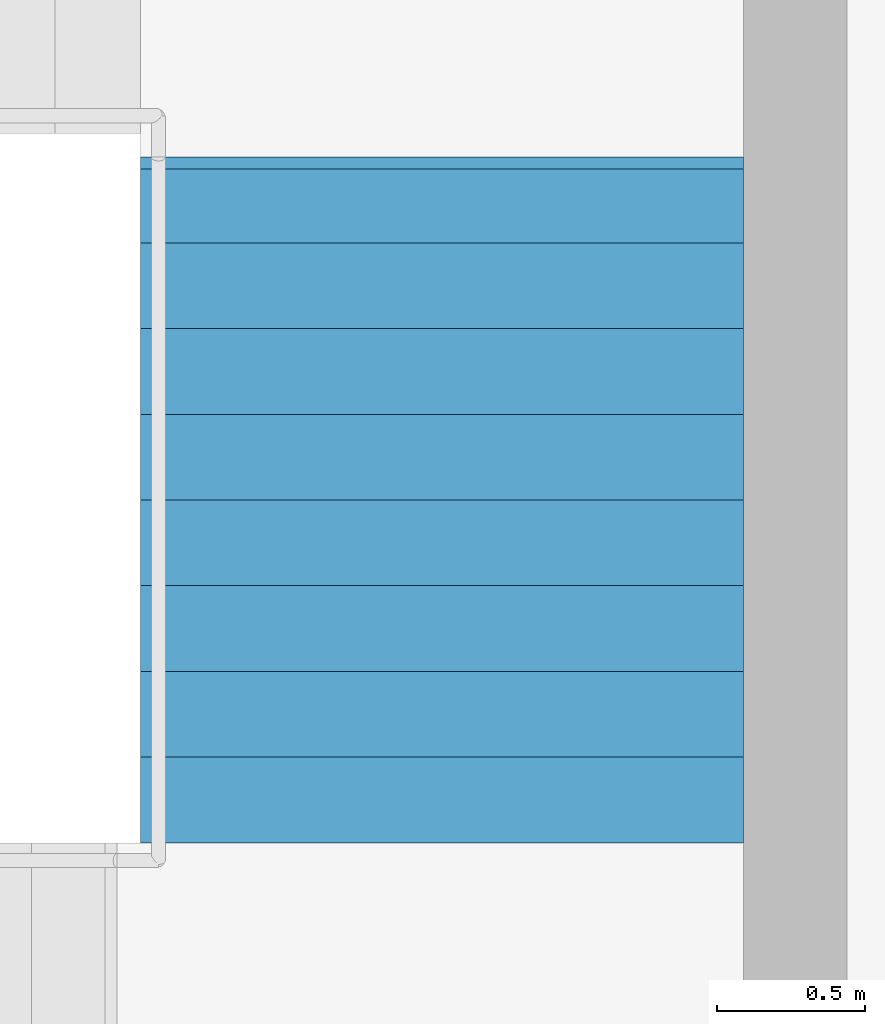
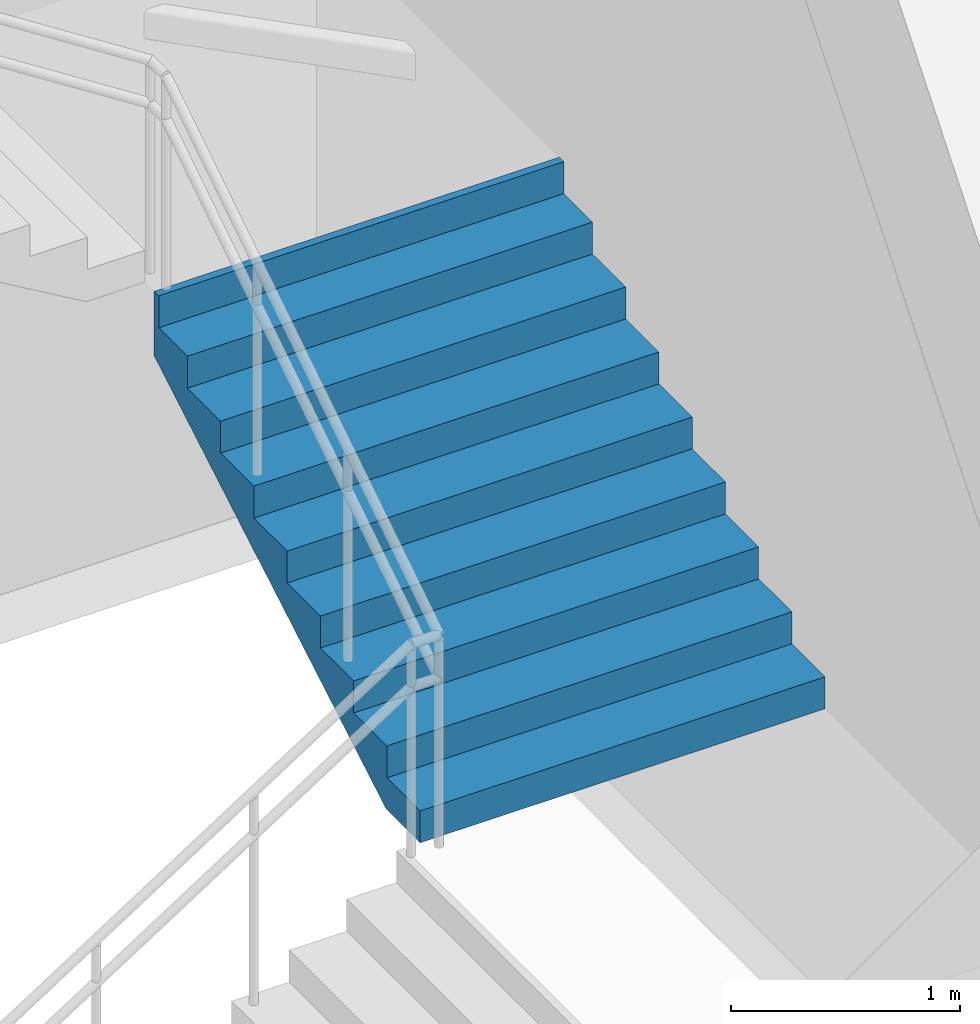
# One storey, part 44 of 58: 1 stair flight, 1 element without a shape of its own.
"""IFC4 building model written with IfcOpenShell, lengths in metres."""

from ifc_helpers import new_model, si_unit, direction, frame, origin, place, context, subcontext, project, spatial, triangles, material, type_object, element, aggregate, save


model = new_model("IFC4")

# Units and contexts
model_context = context("Model", 3, precision=1e-05, world=origin(), true_north=direction((0.0, 1.0)))
body_context = subcontext(model_context, "Body", "Model", "MODEL_VIEW")
ifc_project = project(units=[si_unit("LENGTHUNIT", "METRE"), si_unit("AREAUNIT", "SQUARE_METRE"), si_unit("VOLUMEUNIT", "CUBIC_METRE"), si_unit("PLANEANGLEUNIT", "RADIAN"), si_unit("MASSUNIT", "GRAM", prefix="KILO")], contexts=[model_context])

# Site, building, storey
site_placement = place(None, origin())
site = spatial("IfcSite", under=ifc_project, at=site_placement, CompositionType="ELEMENT")
building_placement = place(site_placement, origin())
building = spatial("IfcBuilding", under=site, at=building_placement, Name="Sillaruma Civic Art Gallery", CompositionType="ELEMENT")
storey_placement = place(building_placement, frame((0.0, 0.0, 22.43994140625)))
storey = spatial("IfcBuildingStorey", under=building, at=storey_placement, Name="L04", CompositionType="ELEMENT", Elevation=22.43994140625)

# Stair, stair flight
ifc_material = material(Name="Concrete H35 (35 MPa)", Category="concrete")
stair_type = type_object("IfcStairType", Name="STR-4F-36", PredefinedType="USERDEFINED", material=ifc_material)
stair_placement = place(storey_placement, origin())
stair = element("IfcStair", 1, at=stair_placement, inside=storey, type_object=stair_type, Name="Protected Exit Stair ST-03 (West Bar South) (L04)", ObjectType="THREE_RETURN_STAIR", PredefinedType="USERDEFINED")
stair_flight_type = type_object("IfcStairFlightType", Name="SFL-STR-9", PredefinedType="STRAIGHT", material=ifc_material)
stair_flight_placement = place(storey_placement, frame((68.219970703125, 33.449951171875, 1.530029296875), z_axis=(0.0, 0.0, 1.0), x_axis=(0.0, 1.0, 0.0)))
stair_flight = element("IfcStairFlight", 2, at=stair_flight_placement, type_object=stair_flight_type, Name="ST-03 flight 2", NumberOfRisers=9, NumberOfTreads=8, PredefinedType="STRAIGHT", RiserHeight=0.17, TreadLength=0.29, context=body_context, shape_type="Tessellation", body=[
    triangles([(0.0, -1.02001953125, 0.0), (0.29, -1.02001953125, 0.0), (0.296482, -1.02001953125, 0.0), (0.58, -1.02001953125, 0.1662), (0.87, -1.02001953125, 0.3362), (1.16, -1.02001953125, 0.5062), (1.45, -1.02001953125, 0.6762), (1.74, -1.02001953125, 0.8462), (2.03, -1.02001953125, 1.0162), (2.280068, -1.02001953125, 1.162792), (2.320068, -1.02001953125, 1.18624), (2.320068, -1.02001953125, 1.53), (2.280068, -1.02001953125, 1.53), (2.280068, -1.02001953125, 1.36), (2.03, -1.02001953125, 1.36), (2.03, -1.02001953125, 1.19), (1.74, -1.02001953125, 1.19), (1.74, -1.02001953125, 1.02), (1.45, -1.02001953125, 1.02), (1.45, -1.02001953125, 0.85), (1.16, -1.02001953125, 0.85), (1.16, -1.02001953125, 0.68), (0.87, -1.02001953125, 0.68), (0.87, -1.02001953125, 0.51), (0.58, -1.02001953125, 0.51), (0.58, -1.02001953125, 0.34), (0.296482, -1.02001953125, 0.34), (0.29, -1.02001953125, 0.34), (0.29, -1.02001953125, 0.17), (0.0, -1.02001953125, 0.17), (0.0, -0.05, 0.0), (0.29, -0.05, 0.0), (0.296482, -0.05, 0.0), (0.58, -0.05, 0.1662), (0.87, -0.05, 0.3362), (1.16, -0.05, 0.5062), (1.45, -0.05, 0.6762), (1.74, -0.05, 0.8462), (2.03, -0.05, 1.0162), (2.280068, -0.05, 1.162792), (2.320068, -0.05, 1.18624), (2.320068, -0.05, 1.53), (2.280068, -0.05, 1.53), (2.280068, -0.05, 1.36), (2.03, -0.05, 1.36), (2.03, -0.05, 1.19), (1.74, -0.05, 1.19), (1.74, -0.05, 1.02), (1.45, -0.05, 1.02), (1.45, -0.05, 0.85), (1.16, -0.05, 0.85), (1.16, -0.05, 0.68), (0.87, -0.05, 0.68), (0.87, -0.05, 0.51), (0.58, -0.05, 0.51), (0.58, -0.05, 0.34), (0.296482, -0.05, 0.34), (0.29, -0.05, 0.34), (0.29, -0.05, 0.17), (0.0, -0.05, 0.17), (0.0, -0.0375, 0.0), (0.29, -0.0375, 0.0), (0.296482, -0.0375, 0.0), (0.58, -0.0375, 0.1662), (0.87, -0.0375, 0.3362), (1.16, -0.0375, 0.5062), (1.45, -0.0375, 0.6762), (1.74, -0.0375, 0.8462), (2.03, -0.0375, 1.0162), (2.280068, -0.0375, 1.162792), (2.320068, -0.0375, 1.18624), (2.320068, -0.0375, 1.53), (2.280068, -0.0375, 1.53), (2.280068, -0.0375, 1.36), (2.03, -0.0375, 1.36), (2.03, -0.0375, 1.19), (1.74, -0.0375, 1.19), (1.74, -0.0375, 1.02), (1.45, -0.0375, 1.02), (1.45, -0.0375, 0.85), (1.16, -0.0375, 0.85), (1.16, -0.0375, 0.68), (0.87, -0.0375, 0.68), (0.87, -0.0375, 0.51), (0.58, -0.0375, 0.51), (0.58, -0.0375, 0.34), (0.296482, -0.0375, 0.34), (0.29, -0.0375, 0.34), (0.29, -0.0375, 0.17), (0.0, -0.0375, 0.17), (0.0, -0.025, 0.0), (0.29, -0.025, 0.0), (0.296482, -0.025, 0.0), (0.58, -0.025, 0.1662), (0.87, -0.025, 0.3362), (1.16, -0.025, 0.5062), (1.45, -0.025, 0.6762), (1.74, -0.025, 0.8462), (2.03, -0.025, 1.0162), (2.280068, -0.025, 1.162792), (2.320068, -0.025, 1.18624), (2.320068, -0.025, 1.53), (2.280068, -0.025, 1.53), (2.280068, -0.025, 1.36), (2.03, -0.025, 1.36), (2.03, -0.025, 1.19), (1.74, -0.025, 1.19), (1.74, -0.025, 1.02), (1.45, -0.025, 1.02), (1.45, -0.025, 0.85), (1.16, -0.025, 0.85), (1.16, -0.025, 0.68), (0.87, -0.025, 0.68), (0.87, -0.025, 0.51), (0.58, -0.025, 0.51), (0.58, -0.025, 0.34), (0.296482, -0.025, 0.34), (0.29, -0.025, 0.34), (0.29, -0.025, 0.17), (0.0, -0.025, 0.17), (0.0, -0.0125, 0.0), (0.29, -0.0125, 0.0), (0.296482, -0.0125, 0.0), (0.58, -0.0125, 0.1662), (0.87, -0.0125, 0.3362), (1.16, -0.0125, 0.5062), (1.45, -0.0125, 0.6762), (1.74, -0.0125, 0.8462), (2.03, -0.0125, 1.0162), (2.280068, -0.0125, 1.162792), (2.320068, -0.0125, 1.18624), (2.320068, -0.0125, 1.53), (2.280068, -0.0125, 1.53), (2.280068, -0.0125, 1.36), (2.03, -0.0125, 1.36), (2.03, -0.0125, 1.19), (1.74, -0.0125, 1.19), (1.74, -0.0125, 1.02), (1.45, -0.0125, 1.02), (1.45, -0.0125, 0.85), (1.16, -0.0125, 0.85), (1.16, -0.0125, 0.68), (0.87, -0.0125, 0.68), (0.87, -0.0125, 0.51), (0.58, -0.0125, 0.51), (0.58, -0.0125, 0.34), (0.296482, -0.0125, 0.34), (0.29, -0.0125, 0.34), (0.29, -0.0125, 0.17), (0.0, -0.0125, 0.17), (0.0, 0.0, 0.0), (0.29, 0.0, 0.0), (0.296482, 0.0, 0.0), (0.58, 0.0, 0.1662), (0.87, 0.0, 0.3362), (1.16, 0.0, 0.5062), (1.45, 0.0, 0.6762), (1.74, 0.0, 0.8462), (2.03, 0.0, 1.0162), (2.280068, 0.0, 1.162792), (2.320068, 0.0, 1.18624), (2.320068, 0.0, 1.53), (2.280068, 0.0, 1.53), (2.280068, 0.0, 1.36), (2.03, 0.0, 1.36), (2.03, 0.0, 1.19), (1.74, 0.0, 1.19), (1.74, 0.0, 1.02), (1.45, 0.0, 1.02), (1.45, 0.0, 0.85), (1.16, 0.0, 0.85), (1.16, 0.0, 0.68), (0.87, 0.0, 0.68), (0.87, 0.0, 0.51), (0.58, 0.0, 0.51), (0.58, 0.0, 0.34), (0.296482, 0.0, 0.34), (0.29, 0.0, 0.34), (0.29, 0.0, 0.17), (0.0, 0.0, 0.17), (0.0, 0.0125, 0.0), (0.29, 0.0125, 0.0), (0.296482, 0.0125, 0.0), (0.58, 0.0125, 0.1662), (0.87, 0.0125, 0.3362), (1.16, 0.0125, 0.5062), (1.45, 0.0125, 0.6762), (1.74, 0.0125, 0.8462), (2.03, 0.0125, 1.0162), (2.280068, 0.0125, 1.162792), (2.320068, 0.0125, 1.18624), (2.320068, 0.0125, 1.53), (2.280068, 0.0125, 1.53), (2.280068, 0.0125, 1.36), (2.03, 0.0125, 1.36), (2.03, 0.0125, 1.19), (1.74, 0.0125, 1.19), (1.74, 0.0125, 1.02), (1.45, 0.0125, 1.02), (1.45, 0.0125, 0.85), (1.16, 0.0125, 0.85), (1.16, 0.0125, 0.68), (0.87, 0.0125, 0.68), (0.87, 0.0125, 0.51), (0.58, 0.0125, 0.51), (0.58, 0.0125, 0.34), (0.296482, 0.0125, 0.34), (0.29, 0.0125, 0.34), (0.29, 0.0125, 0.17), (0.0, 0.0125, 0.17), (0.0, 0.025, 0.0), (0.29, 0.025, 0.0), (0.296482, 0.025, 0.0), (0.58, 0.025, 0.1662), (0.87, 0.025, 0.3362), (1.16, 0.025, 0.5062), (1.45, 0.025, 0.6762), (1.74, 0.025, 0.8462), (2.03, 0.025, 1.0162), (2.280068, 0.025, 1.162792), (2.320068, 0.025, 1.18624), (2.320068, 0.025, 1.53), (2.280068, 0.025, 1.53), (2.280068, 0.025, 1.36), (2.03, 0.025, 1.36), (2.03, 0.025, 1.19), (1.74, 0.025, 1.19), (1.74, 0.025, 1.02), (1.45, 0.025, 1.02), (1.45, 0.025, 0.85), (1.16, 0.025, 0.85), (1.16, 0.025, 0.68), (0.87, 0.025, 0.68), (0.87, 0.025, 0.51), (0.58, 0.025, 0.51), (0.58, 0.025, 0.34), (0.296482, 0.025, 0.34), (0.29, 0.025, 0.34), (0.29, 0.025, 0.17), (0.0, 0.025, 0.17), (0.0, 0.0375, 0.0), (0.29, 0.0375, 0.0), (0.296482, 0.0375, 0.0), (0.58, 0.0375, 0.1662), (0.87, 0.0375, 0.3362), (1.16, 0.0375, 0.5062), (1.45, 0.0375, 0.6762), (1.74, 0.0375, 0.8462), (2.03, 0.0375, 1.0162), (2.280068, 0.0375, 1.162792), (2.320068, 0.0375, 1.18624), (2.320068, 0.0375, 1.53), (2.280068, 0.0375, 1.53), (2.280068, 0.0375, 1.36), (2.03, 0.0375, 1.36), (2.03, 0.0375, 1.19), (1.74, 0.0375, 1.19), (1.74, 0.0375, 1.02), (1.45, 0.0375, 1.02), (1.45, 0.0375, 0.85), (1.16, 0.0375, 0.85), (1.16, 0.0375, 0.68), (0.87, 0.0375, 0.68), (0.87, 0.0375, 0.51), (0.58, 0.0375, 0.51), (0.58, 0.0375, 0.34), (0.296482, 0.0375, 0.34), (0.29, 0.0375, 0.34), (0.29, 0.0375, 0.17), (0.0, 0.0375, 0.17), (0.0, 0.05, 0.0), (0.29, 0.05, 0.0), (0.296482, 0.05, 0.0), (0.58, 0.05, 0.1662), (0.87, 0.05, 0.3362), (1.16, 0.05, 0.5062), (1.45, 0.05, 0.6762), (1.74, 0.05, 0.8462), (2.03, 0.05, 1.0162), (2.280068, 0.05, 1.162792), (2.320068, 0.05, 1.18624), (2.320068, 0.05, 1.53), (2.280068, 0.05, 1.53), (2.280068, 0.05, 1.36), (2.03, 0.05, 1.36), (2.03, 0.05, 1.19), (1.74, 0.05, 1.19), (1.74, 0.05, 1.02), (1.45, 0.05, 1.02), (1.45, 0.05, 0.85), (1.16, 0.05, 0.85), (1.16, 0.05, 0.68), (0.87, 0.05, 0.68), (0.87, 0.05, 0.51), (0.58, 0.05, 0.51), (0.58, 0.05, 0.34), (0.296482, 0.05, 0.34), (0.29, 0.05, 0.34), (0.29, 0.05, 0.17), (0.0, 0.05, 0.17), (0.0, 1.02001953125, 0.0), (0.29, 1.02001953125, 0.0), (0.296482, 1.02001953125, 0.0), (0.58, 1.02001953125, 0.1662), (0.87, 1.02001953125, 0.3362), (1.16, 1.02001953125, 0.5062), (1.45, 1.02001953125, 0.6762), (1.74, 1.02001953125, 0.8462), (2.03, 1.02001953125, 1.0162), (2.280068, 1.02001953125, 1.162792), (2.320068, 1.02001953125, 1.18624), (2.320068, 1.02001953125, 1.53), (2.280068, 1.02001953125, 1.53), (2.280068, 1.02001953125, 1.36), (2.03, 1.02001953125, 1.36), (2.03, 1.02001953125, 1.19), (1.74, 1.02001953125, 1.19), (1.74, 1.02001953125, 1.02), (1.45, 1.02001953125, 1.02), (1.45, 1.02001953125, 0.85), (1.16, 1.02001953125, 0.85), (1.16, 1.02001953125, 0.68), (0.87, 1.02001953125, 0.68), (0.87, 1.02001953125, 0.51), (0.58, 1.02001953125, 0.51), (0.58, 1.02001953125, 0.34), (0.296482, 1.02001953125, 0.34), (0.29, 1.02001953125, 0.34), (0.29, 1.02001953125, 0.17), (0.0, 1.02001953125, 0.17)], [[1, 2, 29], [1, 29, 30], [2, 3, 27], [2, 27, 29], [29, 27, 28], [3, 4, 26], [3, 26, 27], [4, 5, 24], [4, 24, 26], [26, 24, 25], [5, 6, 22], [5, 22, 24], [24, 22, 23], [6, 7, 20], [6, 20, 22], [22, 20, 21], [7, 8, 18], [7, 18, 20], [20, 18, 19], [8, 9, 16], [8, 16, 18], [18, 16, 17], [9, 10, 14], [9, 14, 16], [16, 14, 15], [10, 11, 12], [10, 12, 14], [14, 12, 13], [329, 302, 301], [330, 329, 301], [327, 303, 302], [329, 327, 302], [328, 327, 329], [326, 304, 303], [327, 326, 303], [324, 305, 304], [326, 324, 304], [325, 324, 326], [322, 306, 305], [324, 322, 305], [323, 322, 324], [320, 307, 306], [322, 320, 306], [321, 320, 322], [318, 308, 307], [320, 318, 307], [319, 318, 320], [316, 309, 308], [318, 316, 308], [317, 316, 318], [314, 310, 309], [316, 314, 309], [315, 314, 316], [312, 311, 310], [314, 312, 310], [313, 312, 314], [2, 1, 31], [2, 31, 32], [3, 2, 32], [3, 32, 33], [4, 3, 33], [4, 33, 34], [5, 4, 34], [5, 34, 35], [6, 5, 35], [6, 35, 36], [7, 6, 36], [7, 36, 37], [8, 7, 37], [8, 37, 38], [9, 8, 38], [9, 38, 39], [10, 9, 39], [10, 39, 40], [11, 10, 40], [11, 40, 41], [12, 11, 41], [12, 41, 42], [13, 12, 42], [13, 42, 43], [14, 13, 43], [14, 43, 44], [15, 14, 44], [15, 44, 45], [16, 15, 45], [16, 45, 46], [17, 16, 46], [17, 46, 47], [18, 17, 47], [18, 47, 48], [19, 18, 48], [19, 48, 49], [20, 19, 49], [20, 49, 50], [21, 20, 50], [21, 50, 51], [22, 21, 51], [22, 51, 52], [23, 22, 52], [23, 52, 53], [24, 23, 53], [24, 53, 54], [25, 24, 54], [25, 54, 55], [26, 25, 55], [26, 55, 56], [27, 26, 56], [27, 56, 57], [28, 27, 57], [28, 57, 58], [29, 28, 58], [29, 58, 59], [30, 29, 59], [30, 59, 60], [1, 30, 60], [1, 60, 31], [32, 31, 61], [32, 61, 62], [33, 32, 62], [33, 62, 63], [34, 33, 63], [34, 63, 64], [35, 34, 64], [35, 64, 65], [36, 35, 65], [36, 65, 66], [37, 36, 66], [37, 66, 67], [38, 37, 67], [38, 67, 68], [39, 38, 68], [39, 68, 69], [40, 39, 69], [40, 69, 70], [41, 40, 70], [41, 70, 71], [42, 41, 71], [42, 71, 72], [43, 42, 72], [43, 72, 73], [44, 43, 73], [44, 73, 74], [45, 44, 74], [45, 74, 75], [46, 45, 75], [46, 75, 76], [47, 46, 76], [47, 76, 77], [48, 47, 77], [48, 77, 78], [49, 48, 78], [49, 78, 79], [50, 49, 79], [50, 79, 80], [51, 50, 80], [51, 80, 81], [52, 51, 81], [52, 81, 82], [53, 52, 82], [53, 82, 83], [54, 53, 83], [54, 83, 84], [55, 54, 84], [55, 84, 85], [56, 55, 85], [56, 85, 86], [57, 56, 86], [57, 86, 87], [58, 57, 87], [58, 87, 88], [59, 58, 88], [59, 88, 89], [60, 59, 89], [60, 89, 90], [31, 60, 90], [31, 90, 61], [62, 61, 91], [62, 91, 92], [63, 62, 92], [63, 92, 93], [64, 63, 93], [64, 93, 94], [65, 64, 94], [65, 94, 95], [66, 65, 95], [66, 95, 96], [67, 66, 96], [67, 96, 97], [68, 67, 97], [68, 97, 98], [69, 68, 98], [69, 98, 99], [70, 69, 99], [70, 99, 100], [71, 70, 100], [71, 100, 101], [72, 71, 101], [72, 101, 102], [73, 72, 102], [73, 102, 103], [74, 73, 103], [74, 103, 104], [75, 74, 104], [75, 104, 105], [76, 75, 105], [76, 105, 106], [77, 76, 106], [77, 106, 107], [78, 77, 107], [78, 107, 108], [79, 78, 108], [79, 108, 109], [80, 79, 109], [80, 109, 110], [81, 80, 110], [81, 110, 111], [82, 81, 111], [82, 111, 112], [83, 82, 112], [83, 112, 113], [84, 83, 113], [84, 113, 114], [85, 84, 114], [85, 114, 115], [86, 85, 115], [86, 115, 116], [87, 86, 116], [87, 116, 117], [88, 87, 117], [88, 117, 118], [89, 88, 118], [89, 118, 119], [90, 89, 119], [90, 119, 120], [61, 90, 120], [61, 120, 91], [92, 91, 121], [92, 121, 122], [93, 92, 122], [93, 122, 123], [94, 93, 123], [94, 123, 124], [95, 94, 124], [95, 124, 125], [96, 95, 125], [96, 125, 126], [97, 96, 126], [97, 126, 127], [98, 97, 127], [98, 127, 128], [99, 98, 128], [99, 128, 129], [100, 99, 129], [100, 129, 130], [101, 100, 130], [101, 130, 131], [102, 101, 131], [102, 131, 132], [103, 102, 132], [103, 132, 133], [104, 103, 133], [104, 133, 134], [105, 104, 134], [105, 134, 135], [106, 105, 135], [106, 135, 136], [107, 106, 136], [107, 136, 137], [108, 107, 137], [108, 137, 138], [109, 108, 138], [109, 138, 139], [110, 109, 139], [110, 139, 140], [111, 110, 140], [111, 140, 141], [112, 111, 141], [112, 141, 142], [113, 112, 142], [113, 142, 143], [114, 113, 143], [114, 143, 144], [115, 114, 144], [115, 144, 145], [116, 115, 145], [116, 145, 146], [117, 116, 146], [117, 146, 147], [118, 117, 147], [118, 147, 148], [119, 118, 148], [119, 148, 149], [120, 119, 149], [120, 149, 150], [91, 120, 150], [91, 150, 121], [122, 121, 151], [122, 151, 152], [123, 122, 152], [123, 152, 153], [124, 123, 153], [124, 153, 154], [125, 124, 154], [125, 154, 155], [126, 125, 155], [126, 155, 156], [127, 126, 156], [127, 156, 157], [128, 127, 157], [128, 157, 158], [129, 128, 158], [129, 158, 159], [130, 129, 159], [130, 159, 160], [131, 130, 160], [131, 160, 161], [132, 131, 161], [132, 161, 162], [133, 132, 162], [133, 162, 163], [134, 133, 163], [134, 163, 164], [135, 134, 164], [135, 164, 165], [136, 135, 165], [136, 165, 166], [137, 136, 166], [137, 166, 167], [138, 137, 167], [138, 167, 168], [139, 138, 168], [139, 168, 169], [140, 139, 169], [140, 169, 170], [141, 140, 170], [141, 170, 171], [142, 141, 171], [142, 171, 172], [143, 142, 172], [143, 172, 173], [144, 143, 173], [144, 173, 174], [145, 144, 174], [145, 174, 175], [146, 145, 175], [146, 175, 176], [147, 146, 176], [147, 176, 177], [148, 147, 177], [148, 177, 178], [149, 148, 178], [149, 178, 179], [150, 149, 179], [150, 179, 180], [121, 150, 180], [121, 180, 151], [152, 151, 181], [152, 181, 182], [153, 152, 182], [153, 182, 183], [154, 153, 183], [154, 183, 184], [155, 154, 184], [155, 184, 185], [156, 155, 185], [156, 185, 186], [157, 156, 186], [157, 186, 187], [158, 157, 187], [158, 187, 188], [159, 158, 188], [159, 188, 189], [160, 159, 189], [160, 189, 190], [161, 160, 190], [161, 190, 191], [162, 161, 191], [162, 191, 192], [163, 162, 192], [163, 192, 193], [164, 163, 193], [164, 193, 194], [165, 164, 194], [165, 194, 195], [166, 165, 195], [166, 195, 196], [167, 166, 196], [167, 196, 197], [168, 167, 197], [168, 197, 198], [169, 168, 198], [169, 198, 199], [170, 169, 199], [170, 199, 200], [171, 170, 200], [171, 200, 201], [172, 171, 201], [172, 201, 202], [173, 172, 202], [173, 202, 203], [174, 173, 203], [174, 203, 204], [175, 174, 204], [175, 204, 205], [176, 175, 205], [176, 205, 206], [177, 176, 206], [177, 206, 207], [178, 177, 207], [178, 207, 208], [179, 178, 208], [179, 208, 209], [180, 179, 209], [180, 209, 210], [151, 180, 210], [151, 210, 181], [182, 181, 211], [182, 211, 212], [183, 182, 212], [183, 212, 213], [184, 183, 213], [184, 213, 214], [185, 184, 214], [185, 214, 215], [186, 185, 215], [186, 215, 216], [187, 186, 216], [187, 216, 217], [188, 187, 217], [188, 217, 218], [189, 188, 218], [189, 218, 219], [190, 189, 219], [190, 219, 220], [191, 190, 220], [191, 220, 221], [192, 191, 221], [192, 221, 222], [193, 192, 222], [193, 222, 223], [194, 193, 223], [194, 223, 224], [195, 194, 224], [195, 224, 225], [196, 195, 225], [196, 225, 226], [197, 196, 226], [197, 226, 227], [198, 197, 227], [198, 227, 228], [199, 198, 228], [199, 228, 229], [200, 199, 229], [200, 229, 230], [201, 200, 230], [201, 230, 231], [202, 201, 231], [202, 231, 232], [203, 202, 232], [203, 232, 233], [204, 203, 233], [204, 233, 234], [205, 204, 234], [205, 234, 235], [206, 205, 235], [206, 235, 236], [207, 206, 236], [207, 236, 237], [208, 207, 237], [208, 237, 238], [209, 208, 238], [209, 238, 239], [210, 209, 239], [210, 239, 240], [181, 210, 240], [181, 240, 211], [212, 211, 241], [212, 241, 242], [213, 212, 242], [213, 242, 243], [214, 213, 243], [214, 243, 244], [215, 214, 244], [215, 244, 245], [216, 215, 245], [216, 245, 246], [217, 216, 246], [217, 246, 247], [218, 217, 247], [218, 247, 248], [219, 218, 248], [219, 248, 249], [220, 219, 249], [220, 249, 250], [221, 220, 250], [221, 250, 251], [222, 221, 251], [222, 251, 252], [223, 222, 252], [223, 252, 253], [224, 223, 253], [224, 253, 254], [225, 224, 254], [225, 254, 255], [226, 225, 255], [226, 255, 256], [227, 226, 256], [227, 256, 257], [228, 227, 257], [228, 257, 258], [229, 228, 258], [229, 258, 259], [230, 229, 259], [230, 259, 260], [231, 230, 260], [231, 260, 261], [232, 231, 261], [232, 261, 262], [233, 232, 262], [233, 262, 263], [234, 233, 263], [234, 263, 264], [235, 234, 264], [235, 264, 265], [236, 235, 265], [236, 265, 266], [237, 236, 266], [237, 266, 267], [238, 237, 267], [238, 267, 268], [239, 238, 268], [239, 268, 269], [240, 239, 269], [240, 269, 270], [211, 240, 270], [211, 270, 241], [242, 241, 271], [242, 271, 272], [243, 242, 272], [243, 272, 273], [244, 243, 273], [244, 273, 274], [245, 244, 274], [245, 274, 275], [246, 245, 275], [246, 275, 276], [247, 246, 276], [247, 276, 277], [248, 247, 277], [248, 277, 278], [249, 248, 278], [249, 278, 279], [250, 249, 279], [250, 279, 280], [251, 250, 280], [251, 280, 281], [252, 251, 281], [252, 281, 282], [253, 252, 282], [253, 282, 283], [254, 253, 283], [254, 283, 284], [255, 254, 284], [255, 284, 285], [256, 255, 285], [256, 285, 286], [257, 256, 286], [257, 286, 287], [258, 257, 287], [258, 287, 288], [259, 258, 288], [259, 288, 289], [260, 259, 289], [260, 289, 290], [261, 260, 290], [261, 290, 291], [262, 261, 291], [262, 291, 292], [263, 262, 292], [263, 292, 293], [264, 263, 293], [264, 293, 294], [265, 264, 294], [265, 294, 295], [266, 265, 295], [266, 295, 296], [267, 266, 296], [267, 296, 297], [268, 267, 297], [268, 297, 298], [269, 268, 298], [269, 298, 299], [270, 269, 299], [270, 299, 300], [241, 270, 300], [241, 300, 271], [272, 271, 301], [272, 301, 302], [273, 272, 302], [273, 302, 303], [274, 273, 303], [274, 303, 304], [275, 274, 304], [275, 304, 305], [276, 275, 305], [276, 305, 306], [277, 276, 306], [277, 306, 307], [278, 277, 307], [278, 307, 308], [279, 278, 308], [279, 308, 309], [280, 279, 309], [280, 309, 310], [281, 280, 310], [281, 310, 311], [282, 281, 311], [282, 311, 312], [283, 282, 312], [283, 312, 313], [284, 283, 313], [284, 313, 314], [285, 284, 314], [285, 314, 315], [286, 285, 315], [286, 315, 316], [287, 286, 316], [287, 316, 317], [288, 287, 317], [288, 317, 318], [289, 288, 318], [289, 318, 319], [290, 289, 319], [290, 319, 320], [291, 290, 320], [291, 320, 321], [292, 291, 321], [292, 321, 322], [293, 292, 322], [293, 322, 323], [294, 293, 323], [294, 323, 324], [295, 294, 324], [295, 324, 325], [296, 295, 325], [296, 325, 326], [297, 296, 326], [297, 326, 327], [298, 297, 327], [298, 327, 328], [299, 298, 328], [299, 328, 329], [300, 299, 329], [300, 329, 330], [271, 300, 330], [271, 330, 301]], closed=True),
])
aggregate(stair, [stair_flight])

save(model, "model.ifc")
